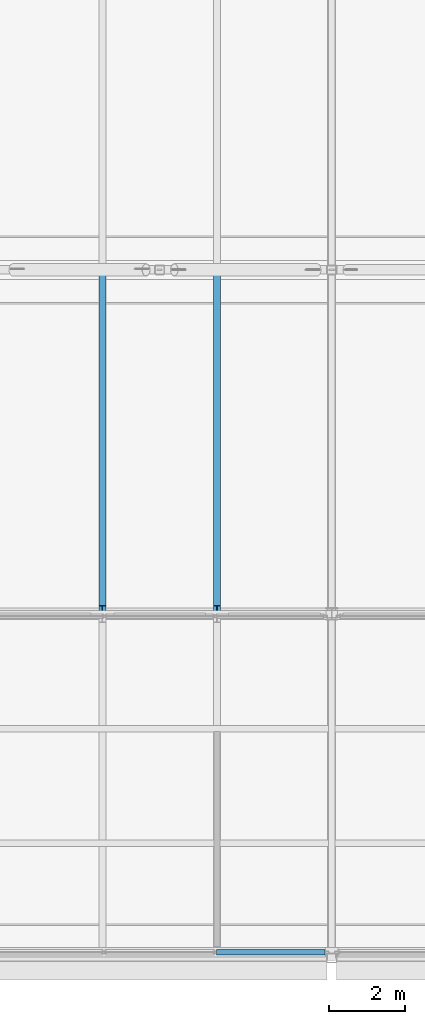
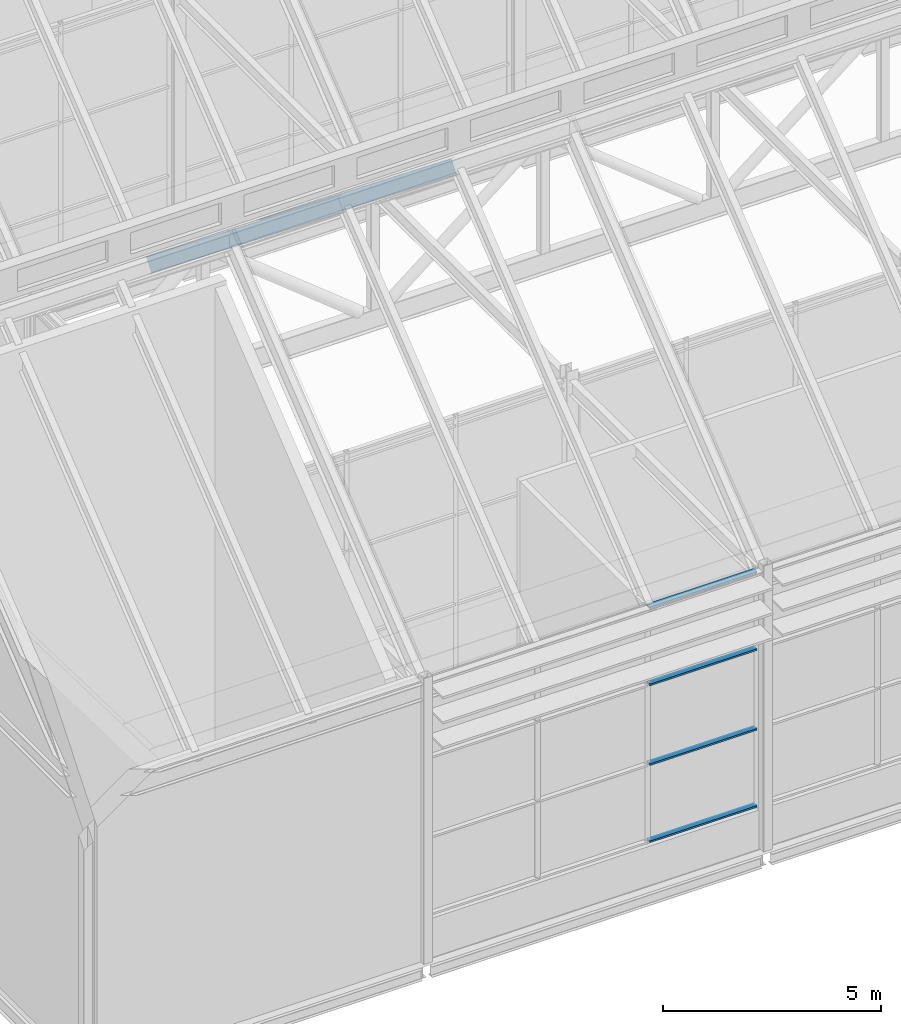
# One storey, part 24 of 144: 6 members, 1 element without a shape of its own.
"""IFC4 building model written with IfcOpenShell, lengths in metres."""

from ifc_helpers import new_model, si_unit, direction, frame, origin, origin_2d, place, context, subcontext, project, spatial, hollow_rectangle, i_section, extrude, material, layer, layer_set, material_profile, profile_set, type_object, element, aggregate, save


model = new_model("IFC4")

# Units and contexts
model_context = context("Model", 3, precision=1e-05, world=origin(), true_north=direction((0.0, 1.0)))
body_context = subcontext(model_context, "Body", "Model", "MODEL_VIEW")
ifc_project = project(units=[si_unit("LENGTHUNIT", "METRE"), si_unit("AREAUNIT", "SQUARE_METRE"), si_unit("VOLUMEUNIT", "CUBIC_METRE"), si_unit("PLANEANGLEUNIT", "RADIAN"), si_unit("MASSUNIT", "GRAM", prefix="KILO")], contexts=[model_context])

# Site, building, storey
site_placement = place(None, origin())
site = spatial("IfcSite", under=ifc_project, at=site_placement, CompositionType="ELEMENT")
building_placement = place(site_placement, origin())
building = spatial("IfcBuilding", under=site, at=building_placement, Name="Shorebreak Coast Museum", CompositionType="ELEMENT")
storey_placement = place(building_placement, frame((0.0, 0.0, 36.0)))
storey = spatial("IfcBuildingStorey", under=building, at=storey_placement, Name="L06", CompositionType="ELEMENT", Elevation=36.0)

# Members
ifc_material_1 = material(Name="Steel Grade 300", Category="steel")
ifc_material_profile_1 = material_profile(ifc_material_1, i_section(OverallWidth=0.177978515625, OverallDepth=0.402587890625, WebThickness=0.007568359375, FlangeThickness=0.010986328125, FilletRadius=0.011474609375, at=origin_2d()), Name="410UB53.7")
ifc_profile_set_1 = profile_set([ifc_material_profile_1], Name="Steel Grade 300")
member_type_1 = type_object("IfcMemberType", Name="Fold rafter 410UB53.7", PredefinedType="RAFTER", material=ifc_profile_set_1)
for number, where, z_axis, x_axis, name in (
    (1, (66.0, 63.094970703125, 14.610107421875), (0.0, 0.780866693621, -0.624697692322), (-1.0, 0.0, 0.0), "Fold rafter FOLD-X line 2 05"),
    (2, (69.0, 63.094970703125, 14.610107421875), (0.0, 0.780866693621, -0.624697692322), (-1.0, 0.0, 0.0), "Fold rafter FOLD-X line 2 06"),
):
    element("IfcMember", number, at=place(storey_placement, frame(where, z_axis=z_axis, x_axis=x_axis)), inside=storey, type_object=member_type_1, Name=name, PredefinedType="RAFTER", context=body_context, shape_type="SweptSolid", body=[
        extrude(i_section(OverallWidth=0.177978515625, OverallDepth=0.402587890625, WebThickness=0.007568359375, FlangeThickness=0.010986328125, FilletRadius=0.011474609375, at=origin_2d()), origin(), (0.0, 0.0, 1.0), 11.25732421875),
    ])

# Curtain wall, members
ifc_material_2 = material(Name="Aluminium", Category="aluminium")
ifc_layer = layer(ifc_material_2, 0.14990234375)
ifc_layer_set = layer_set([ifc_layer], Name="Aluminium")
curtain_wall_type = type_object("IfcCurtainWallType", Name="Storefront curtain wall", PredefinedType="NOTDEFINED", material=ifc_layer_set)
curtain_wall_placement = place(storey_placement, origin())
curtain_wall = element("IfcCurtainWall", 3, at=curtain_wall_placement, inside=storey, type_object=curtain_wall_type, Name="Atrium Hall glazing L06 S 22", PredefinedType="NOTDEFINED")
ifc_material_3 = material(Name="Aluminium", Category="aluminium")
ifc_material_profile_2 = material_profile(ifc_material_3, hollow_rectangle(XDim=0.14990234375, YDim=0.050048828125, WallThickness=0.00390625, at=origin_2d()), Name="AL 50x150 RHS")
ifc_profile_set_2 = profile_set([ifc_material_profile_2], Name="Aluminium")
member_type_2 = type_object("IfcMemberType", Name="Storefront transom 150 x 50", PredefinedType="USERDEFINED", material=ifc_profile_set_2)
member_1_placement = place(storey_placement, frame((68.9833984375, 54.14990234375, 1.175048828125), z_axis=(1.0, 0.0, 0.0), x_axis=(0.0, 1.0, 0.0)))
member_1 = element("IfcMember", 4, at=member_1_placement, type_object=member_type_2, Name="CW5 transom 3.1", ObjectType="TRANSOM", PredefinedType="USERDEFINED", context=body_context, shape_type="SweptSolid", body=[
    extrude(hollow_rectangle(XDim=0.14990234375, YDim=0.050048828125, WallThickness=0.00390625, at=origin_2d()), origin(), (0.0, 0.0, 1.0), 2.841552734375),
])
member_2_placement = place(storey_placement, frame((68.9833984375, 54.14990234375, 3.333251953125), z_axis=(1.0, 0.0, 0.0), x_axis=(0.0, 1.0, 0.0)))
member_2 = element("IfcMember", 5, at=member_2_placement, type_object=member_type_2, Name="CW5 transom 3.2", ObjectType="TRANSOM", PredefinedType="USERDEFINED", context=body_context, shape_type="SweptSolid", body=[
    extrude(hollow_rectangle(XDim=0.14990234375, YDim=0.050048828125, WallThickness=0.00390625, at=origin_2d()), origin(), (0.0, 0.0, 1.0), 2.841552734375),
])
member_3_placement = place(storey_placement, frame((68.9833984375, 54.14990234375, 5.566650390625), z_axis=(1.0, 0.0, 0.0), x_axis=(0.0, 1.0, 0.0)))
member_3 = element("IfcMember", 6, at=member_3_placement, type_object=member_type_2, Name="CW5 transom 3.3", ObjectType="TRANSOM", PredefinedType="USERDEFINED", context=body_context, shape_type="SweptSolid", body=[
    extrude(hollow_rectangle(XDim=0.14990234375, YDim=0.050048828125, WallThickness=0.00390625, at=origin_2d()), origin(), (0.0, 0.0, 1.0), 2.841552734375),
])
member_4_placement = place(storey_placement, frame((68.9833984375, 54.14990234375, 7.72509765625), z_axis=(1.0, 0.0, 0.0), x_axis=(0.0, 1.0, 0.0)))
member_4 = element("IfcMember", 7, at=member_4_placement, type_object=member_type_2, Name="CW5 transom 3.4", ObjectType="TRANSOM", PredefinedType="USERDEFINED", context=body_context, shape_type="SweptSolid", body=[
    extrude(hollow_rectangle(XDim=0.14990234375, YDim=0.050048828125, WallThickness=0.00390625, at=origin_2d()), origin(), (0.0, 0.0, 1.0), 2.841552734375),
])
aggregate(curtain_wall, [member_1, member_2, member_3, member_4])

save(model, "model.ifc")
